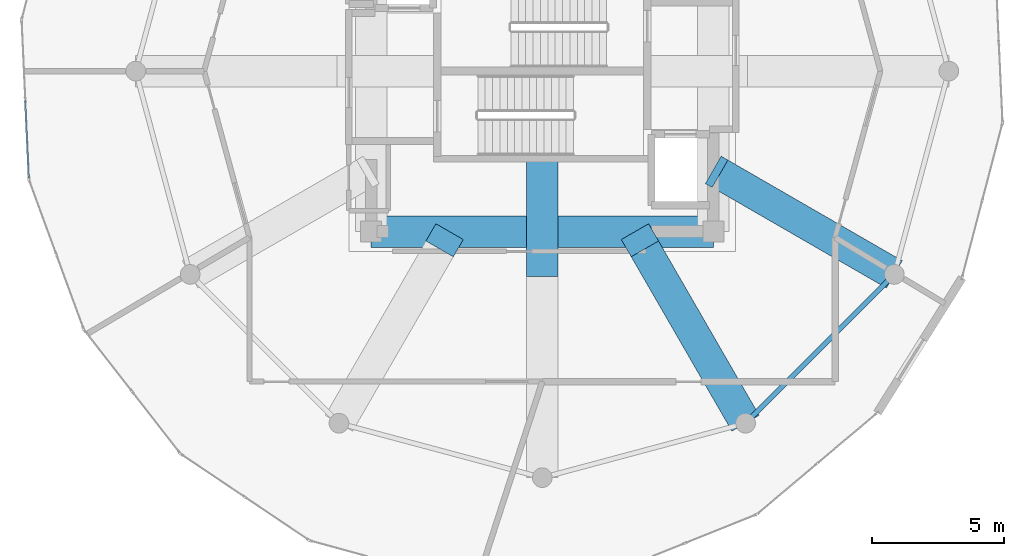
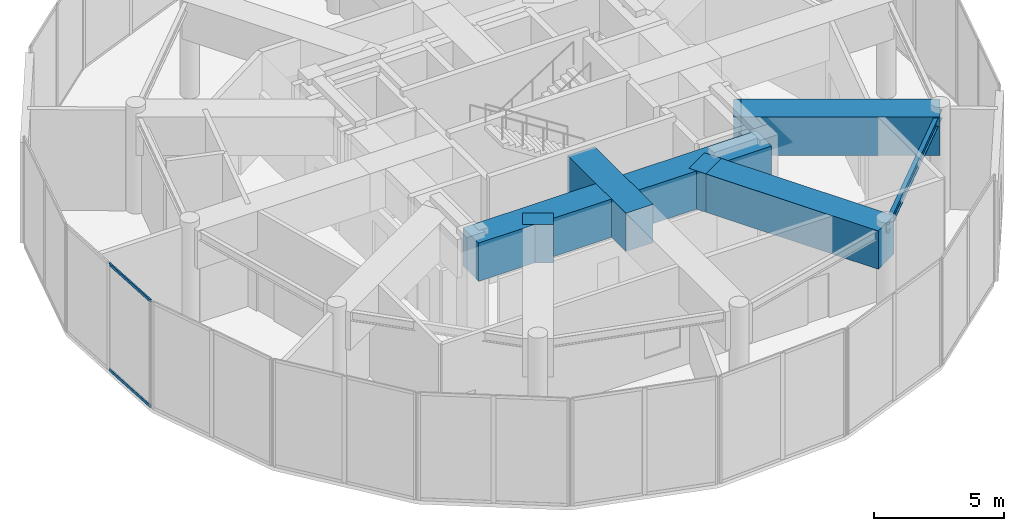
# One storey, part 7 of 20: 8 beams, 2 members, 1 element without a shape of its own.
"""IFC4 building model written with IfcOpenShell, lengths in metres."""

from ifc_helpers import new_model, si_unit, direction, frame, origin, origin_2d, place, context, subcontext, project, spatial, rectangle, hollow_rectangle, i_section, extrude, source, transform, mapped, material, layer, layer_set, material_profile, profile_set, type_object, element, aggregate, save


model = new_model("IFC4")

# Units and contexts
model_context = context("Model", 3, precision=1e-05, world=origin(), true_north=direction((0.0, 1.0)))
body_context = subcontext(model_context, "Body", "Model", "MODEL_VIEW")
ifc_project = project(units=[si_unit("LENGTHUNIT", "METRE"), si_unit("AREAUNIT", "SQUARE_METRE"), si_unit("VOLUMEUNIT", "CUBIC_METRE"), si_unit("PLANEANGLEUNIT", "RADIAN"), si_unit("MASSUNIT", "GRAM", prefix="KILO")], contexts=[model_context])

# Site, building, storey
site_placement = place(None, origin())
site = spatial("IfcSite", under=ifc_project, at=site_placement, CompositionType="ELEMENT")
building_placement = place(site_placement, origin())
building = spatial("IfcBuilding", under=site, at=building_placement, Name="Solvirekh Grand Hotel", CompositionType="ELEMENT")
storey_placement = place(building_placement, frame((0.0, 0.0, 297.199951171875)))
storey = spatial("IfcBuildingStorey", under=building, at=storey_placement, Name="L77", CompositionType="ELEMENT", Elevation=297.199951171875)

# Beams
ifc_material_1 = material(Name="Steel S355", Category="steel")
ifc_material_profile_1 = material_profile(ifc_material_1, i_section(OverallWidth=0.180908203125, OverallDepth=0.4169921875, WebThickness=0.010009765625, FlangeThickness=0.01611328125, FilletRadius=0.011962890625, at=origin_2d()), Name="W410X85")
ifc_profile_set_1 = profile_set([ifc_material_profile_1], Name="Steel S355")
beam_type_1 = type_object("IfcBeamType", Name="Spandrel_Ring_W410", PredefinedType="SPANDREL", material=ifc_profile_set_1)
beam_1_placement = place(storey_placement, frame((7.72509765625, -13.3798828125, 4.470947265625), z_axis=(0.707106781187, 0.707106781187, 0.0), x_axis=(-0.707106781187, 0.707106781187, 0.0)))
element("IfcBeam", 1, at=beam_1_placement, inside=storey, type_object=beam_type_1, Name="L77 perimeter spandrel beam 11", PredefinedType="SPANDREL", context=body_context, shape_type="SweptSolid", body=[
    extrude(i_section(OverallWidth=0.180908203125, OverallDepth=0.4169921875, WebThickness=0.010009765625, FlangeThickness=0.01611328125, FilletRadius=0.011962890625, at=origin_2d()), origin(), (0.0, 0.0, 1.0), 7.9970703125),
])
ifc_material_2 = material(Name="Concrete C60/75", Category="concrete")
ifc_material_profile_2 = material_profile(ifc_material_2, rectangle(XDim=1.199951171875, YDim=1.800048828125, at=origin_2d()), Name="RC GIRDER 1200X1800")
ifc_profile_set_2 = profile_set([ifc_material_profile_2], Name="Concrete C60/75")
beam_type_2 = type_object("IfcBeamType", Name="TransferGirder_RC1800", PredefinedType="USERDEFINED", material=ifc_profile_set_2)
beam_2_placement = place(storey_placement, frame((-6.5, -6.10009765625, 3.820068359375), z_axis=(1.0, 0.0, 0.0), x_axis=(0.0, 1.0, 0.0)))
element("IfcBeam", 2, at=beam_2_placement, inside=storey, type_object=beam_type_2, Name="L77 core coupling ring beam 1", ObjectType="TRANSFER GIRDER", PredefinedType="USERDEFINED", context=body_context, shape_type="SweptSolid", body=[
    extrude(rectangle(XDim=1.199951171875, YDim=1.800048828125, at=origin_2d()), origin(), (0.0, 0.0, 1.0), 13.0),
])
beam_3_placement = place(storey_placement, frame((-3.52197265625, -6.10009765625, 3.820068359375), z_axis=(-0.499890179513, -0.866088799389, 0.0), x_axis=(0.866088799389, -0.499890179513, 0.0)))
element("IfcBeam", 3, at=beam_3_placement, inside=storey, type_object=beam_type_2, Name="L77 inner radial transfer girder 9A", ObjectType="TRANSFER GIRDER", PredefinedType="USERDEFINED", context=body_context, shape_type="SweptSolid", body=[
    extrude(rectangle(XDim=1.199951171875, YDim=1.800048828125, at=origin_2d()), origin(), (0.0, 0.0, 1.0), 0.756103515625),
])
beam_4_placement = place(storey_placement, frame((0.0, -3.324951171875, 3.820068359375), z_axis=(0.0, -1.0, 0.0), x_axis=(1.0, 0.0, 0.0)))
element("IfcBeam", 4, at=beam_4_placement, inside=storey, type_object=beam_type_2, Name="L77 inner radial transfer girder 10A", ObjectType="TRANSFER GIRDER", PredefinedType="USERDEFINED", context=body_context, shape_type="SweptSolid", body=[
    extrude(rectangle(XDim=1.199951171875, YDim=1.800048828125, at=origin_2d()), origin(), (0.0, 0.0, 1.0), 4.47509765625),
])
beam_5_placement = place(storey_placement, frame((3.52197265625, -6.10009765625, 3.820068359375), z_axis=(0.499890179513, -0.866088799389, 0.0), x_axis=(0.866088799389, 0.499890179513, 0.0)))
element("IfcBeam", 5, at=beam_5_placement, inside=storey, type_object=beam_type_2, Name="L77 inner radial transfer girder 11A", ObjectType="TRANSFER GIRDER", PredefinedType="USERDEFINED", context=body_context, shape_type="SweptSolid", body=[
    extrude(rectangle(XDim=1.199951171875, YDim=1.800048828125, at=origin_2d()), origin(), (0.0, 0.0, 1.0), 0.756103515625),
])
beam_6_placement = place(storey_placement, frame((3.89990234375, -6.7548828125, 3.820068359375), z_axis=(0.500024487898, -0.866011265228, 0.0), x_axis=(0.866011265228, 0.500024487898, 0.0)))
element("IfcBeam", 6, at=beam_6_placement, inside=storey, type_object=beam_type_2, Name="L77 outer radial transfer girder 11B", ObjectType="TRANSFER GIRDER", PredefinedType="USERDEFINED", context=body_context, shape_type="SweptSolid", body=[
    extrude(rectangle(XDim=1.199951171875, YDim=1.800048828125, at=origin_2d()), origin(), (0.0, 0.0, 1.0), 7.64990234375),
])
beam_7_placement = place(storey_placement, frame((6.5, -3.7529296875, 3.820068359375), z_axis=(0.866296080141, -0.49953088146, 0.0), x_axis=(0.49953088146, 0.866296080141, 0.0)))
element("IfcBeam", 7, at=beam_7_placement, inside=storey, type_object=beam_type_2, Name="L77 inner radial transfer girder 12A", ObjectType="TRANSFER GIRDER", PredefinedType="USERDEFINED", context=body_context, shape_type="SweptSolid", body=[
    extrude(rectangle(XDim=1.199951171875, YDim=1.800048828125, at=origin_2d()), origin(), (0.0, 0.0, 1.0), 0.294189453125),
])
beam_8_placement = place(storey_placement, frame((6.7548828125, -3.89990234375, 3.820068359375), z_axis=(0.866011265228, -0.500024487898, 0.0), x_axis=(0.500024487898, 0.866011265228, 0.0)))
element("IfcBeam", 8, at=beam_8_placement, inside=storey, type_object=beam_type_2, Name="L77 outer radial transfer girder 12B", ObjectType="TRANSFER GIRDER", PredefinedType="USERDEFINED", context=body_context, shape_type="SweptSolid", body=[
    extrude(rectangle(XDim=1.199951171875, YDim=1.800048828125, at=origin_2d()), origin(), (0.0, 0.0, 1.0), 7.64990234375),
])

# Curtain wall, members
ifc_material_3 = material(Name="Anodized Bronze Aluminium 6063-T6", Category="aluminium")
ifc_layer = layer(ifc_material_3, 0.18994140625)
ifc_layer_set = layer_set([ifc_layer], Name="Anodized Bronze Aluminium 6063-T6")
curtain_wall_type = type_object("IfcCurtainWallType", Name="CW_Sys5_SkyLobbyPanoramaCW", PredefinedType="NOTDEFINED", material=ifc_layer_set)
curtain_wall_placement = place(storey_placement, origin())
curtain_wall = element("IfcCurtainWall", 9, at=curtain_wall_placement, inside=storey, type_object=curtain_wall_type, Name="L77 unitised bronze-glass curtain wall CW-L77-C16", PredefinedType="NOTDEFINED")
ifc_material_profile_3 = material_profile(ifc_material_3, hollow_rectangle(XDim=0.06005859375, YDim=0.135009765625, WallThickness=0.00390625, at=origin_2d()), Name="ALU RHS 135X60X4")
ifc_profile_set_3 = profile_set([ifc_material_profile_3], Name="Anodized Bronze Aluminium 6063-T6")
member_type = type_object("IfcMemberType", Name="CWTransom_Sys5", PredefinedType="USERDEFINED", material=ifc_profile_set_3)
shared_shape = source(origin(), body_context, "Body", "SweptSolid", [
    extrude(hollow_rectangle(XDim=0.06005859375, YDim=0.135009765625, WallThickness=0.00390625, at=origin_2d()), origin(), (0.0, 0.0, 1.0), 2.94287109375),
])
member_1_placement = place(storey_placement, frame((-19.65380859375, -1.119384765625, 0.030029296875), z_axis=(0.046374767746, -0.99892411169, 0.0), x_axis=(0.99892411169, 0.046374767746, 0.0)))
member_1 = element("IfcMember", 10, at=member_1_placement, type_object=member_type, Name="U05 transom 2.1", ObjectType="TRANSOM", PredefinedType="USERDEFINED", context=body_context, shape_type="MappedRepresentation", body=[
    mapped(shared_shape, transform((0.0, 0.0, 0.0), x_axis=(1.0, 0.0, 0.0), y_axis=(0.0, 1.0, 0.0), z_axis=(0.0, 0.0, 1.0), scale=1.0)),
])
member_2_placement = place(storey_placement, frame((-19.65380859375, -1.119384765625, 4.969970703125), z_axis=(0.046374767746, -0.99892411169, 0.0), x_axis=(0.99892411169, 0.046374767746, 0.0)))
member_2 = element("IfcMember", 11, at=member_2_placement, type_object=member_type, Name="U05 transom 2.2", ObjectType="TRANSOM", PredefinedType="USERDEFINED", context=body_context, shape_type="MappedRepresentation", body=[
    mapped(shared_shape, transform((0.0, 0.0, 0.0), x_axis=(1.0, 0.0, 0.0), y_axis=(0.0, 1.0, 0.0), z_axis=(0.0, 0.0, 1.0), scale=1.0)),
])
aggregate(curtain_wall, [member_1, member_2])

save(model, "model.ifc")
